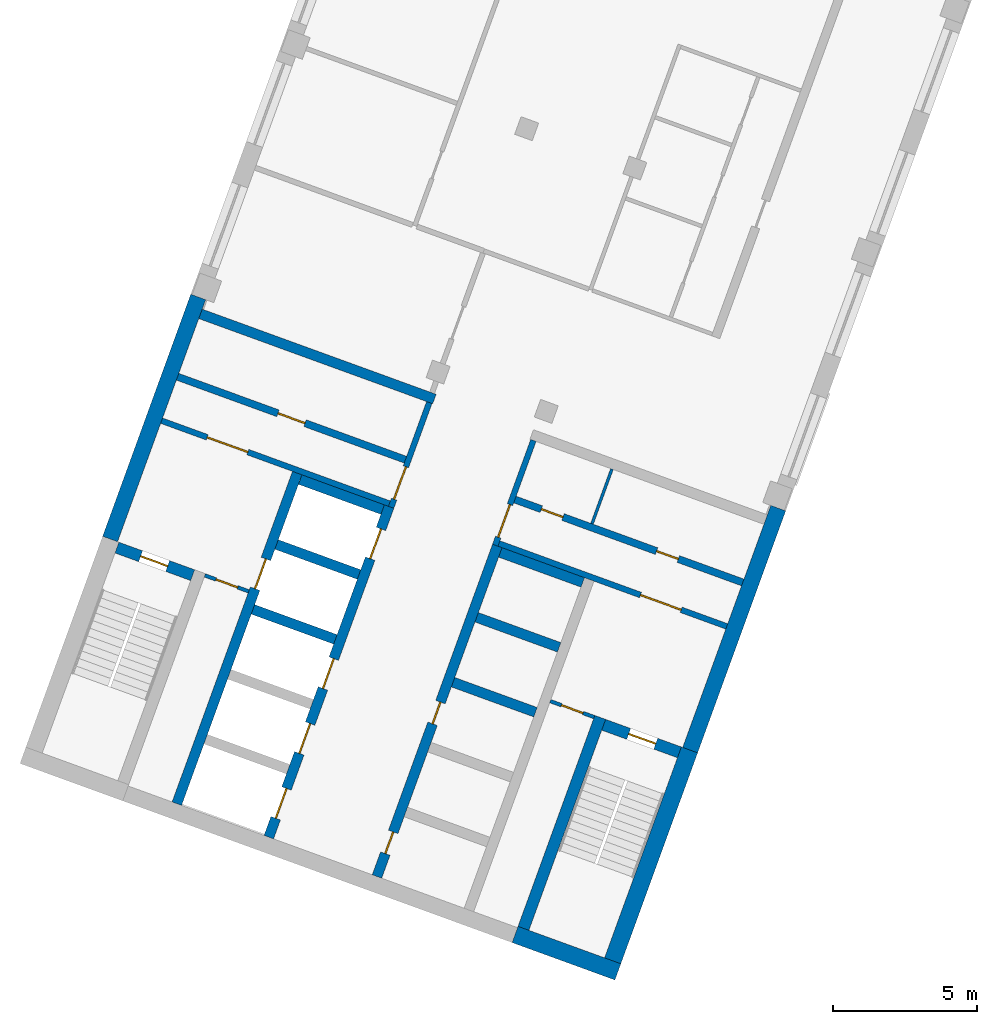
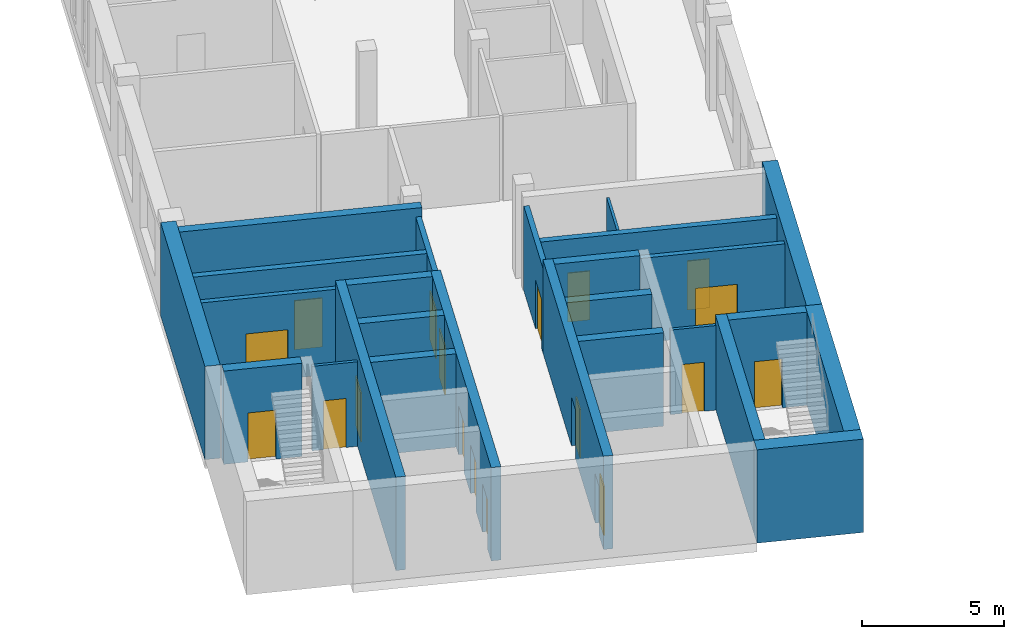
# One storey, part 2 of 8: 26 walls, 18 doors, 18 openings.
"""IFC4 building model written with IfcOpenShell, lengths in metres."""

from ifc_helpers import new_model, si_unit, direction, frame, frame_2d, origin, place, context, subcontext, project, spatial, rectangle, extrude, material, layer, layer_set, type_object, element, fill, save


model = new_model("IFC4")

# Units and contexts
model_context = context("Model", 3, precision=1e-05, world=origin(), true_north=direction((0.0, 1.0)))
body_context = subcontext(model_context, "Body", "Model", "MODEL_VIEW")
ifc_project = project(units=[si_unit("LENGTHUNIT", "METRE"), si_unit("AREAUNIT", "SQUARE_METRE"), si_unit("VOLUMEUNIT", "CUBIC_METRE"), si_unit("PLANEANGLEUNIT", "RADIAN"), si_unit("MASSUNIT", "GRAM", prefix="KILO")], contexts=[model_context])

# Site, building, storey
site_placement = place(None, origin())
site = spatial("IfcSite", under=ifc_project, at=site_placement, CompositionType="ELEMENT")
building_placement = place(site_placement, origin())
building = spatial("IfcBuilding", under=site, at=building_placement, Name="Skarvind Civic Tower", CompositionType="ELEMENT")
storey_placement = place(building_placement, frame((0.0, 0.0, 162.5)))
storey = spatial("IfcBuildingStorey", under=building, at=storey_placement, Name="L38", CompositionType="ELEMENT", Elevation=162.5)

# Wall, opening, door
ifc_material_1 = material(Name="Fire-rated masonry partition", Category="masonry")
ifc_layer_1 = layer(ifc_material_1, 0.199951171875)
ifc_layer_set_1 = layer_set([ifc_layer_1], Name="Core enclosure wall 200")
wall_type_1 = type_object("IfcWallType", Name="Core enclosure wall 200", PredefinedType="PARTITIONING", material=ifc_layer_set_1)
wall_1_placement = place(storey_placement, frame((31.45947265625, 93.67822265625, 0.0), z_axis=(0.0, 0.0, 1.0), x_axis=(0.341985870128, 0.939705094502, 0.0)))
wall_1 = element("IfcWall", 1, at=wall_1_placement, inside=storey, type_object=wall_type_1, Name="Core wall C2", PredefinedType="PARTITIONING", context=body_context, shape_type="SweptSolid", body=[
    extrude(rectangle(XDim=3.875, YDim=0.199951171875, at=frame_2d((1.9375, 0.0))), origin(), (0.0, 0.0, 1.0), 3.625),
])
opening_1_placement = place(wall_1_placement, frame((0.300048828125, 0.0, 0.0)))
opening_1 = element("IfcOpeningElement", 2, at=opening_1_placement, cuts=wall_1, Name="Opening D-L38-C2-07", PredefinedType="OPENING", context=body_context, shape_type="SweptSolid", body=[
    extrude(rectangle(XDim=1.199951171875, YDim=2.10009765625, at=frame_2d((0.60009765625, 1.050048828125))), frame((0.0, 0.10986328125, 0.0), z_axis=(0.0, -1.0, 0.0), x_axis=(1.0, 0.0, 0.0)), (0.0, 0.0, 1.0), 0.219970703125),
])
ifc_material_2 = material(Name="Fire-rated steel door", Category="steel")
door_type_1 = type_object("IfcDoorType", Name="Core lobby door 1200", OperationType="NOTDEFINED", PredefinedType="DOOR", material=ifc_material_2)
door_1_placement = place(opening_1_placement, origin())
door_1 = element("IfcDoor", 3, at=door_1_placement, inside=storey, type_object=door_type_1, Name="Fire door", OperationType="DOUBLE_DOOR_SINGLE_SWING", OverallHeight=2.10009765625, OverallWidth=1.199951171875, PredefinedType="DOOR", context=body_context, shape_type="SweptSolid", body=[
    extrude(rectangle(XDim=1.199951171875, YDim=2.10009765625, at=frame_2d((0.60009765625, 1.050048828125))), frame((0.0, 0.02490234375, 0.0), z_axis=(0.0, -1.0, 0.0), x_axis=(1.0, 0.0, 0.0)), (0.0, 0.0, 1.0), 0.050048828125),
])
fill(opening_1, door_1)

wall_2_placement = place(storey_placement, frame((23.482666015625, 96.68798828125, 0.0), z_axis=(0.0, 0.0, 1.0), x_axis=(0.939691007314, -0.342024576271, 0.0)))
wall_2 = element("IfcWall", 4, at=wall_2_placement, inside=storey, type_object=wall_type_1, Name="Core wall C2", PredefinedType="PARTITIONING", context=body_context, shape_type="SweptSolid", body=[
    extrude(rectangle(XDim=8.425048828125, YDim=0.199951171875, at=frame_2d((4.21240234375, 0.0))), origin(), (0.0, 0.0, 1.0), 3.625),
])
opening_2_placement = place(wall_2_placement, frame((1.6875, 0.0, 0.0)))
opening_2 = element("IfcOpeningElement", 5, at=opening_2_placement, cuts=wall_2, Name="Opening D-L38-C2-08", PredefinedType="OPENING", context=body_context, shape_type="SweptSolid", body=[
    extrude(rectangle(XDim=1.5, YDim=2.10009765625, at=frame_2d((0.75, 1.050048828125))), frame((0.0, 0.10986328125, 0.0), z_axis=(0.0, -1.0, 0.0), x_axis=(1.0, 0.0, 0.0)), (0.0, 0.0, 1.0), 0.219970703125),
])
door_type_2 = type_object("IfcDoorType", Name="Fire door 1500", OperationType="NOTDEFINED", PredefinedType="DOOR", material=ifc_material_2)
door_2_placement = place(opening_2_placement, origin())
door_2 = element("IfcDoor", 6, at=door_2_placement, inside=storey, type_object=door_type_2, Name="Fire door", OperationType="DOUBLE_DOOR_SINGLE_SWING", OverallHeight=2.10009765625, OverallWidth=1.5, PredefinedType="DOOR", context=body_context, shape_type="SweptSolid", body=[
    extrude(rectangle(XDim=1.5, YDim=2.10009765625, at=frame_2d((0.75, 1.050048828125))), frame((0.0, 0.02490234375, 0.0), z_axis=(0.0, -1.0, 0.0), x_axis=(1.0, 0.0, 0.0)), (0.0, 0.0, 1.0), 0.050048828125),
])
fill(opening_2, door_2)

wall_3_placement = place(storey_placement, frame((36.402587890625, 96.0029296875, 0.0), z_axis=(0.0, 0.0, 1.0), x_axis=(-0.342041503764, -0.939684845947, 0.0)))
wall_3 = element("IfcWall", 7, at=wall_3_placement, inside=storey, type_object=wall_type_1, Name="Core wall C2", PredefinedType="PARTITIONING", context=body_context, shape_type="SweptSolid", body=[
    extrude(rectangle(XDim=3.875, YDim=0.199951171875, at=frame_2d((1.9375, 0.0))), origin(), (0.0, 0.0, 1.0), 3.625),
])
opening_3_placement = place(wall_3_placement, frame((2.375, 0.0, 0.0)))
opening_3 = element("IfcOpeningElement", 8, at=opening_3_placement, cuts=wall_3, Name="Opening D-L38-C2-12", PredefinedType="OPENING", context=body_context, shape_type="SweptSolid", body=[
    extrude(rectangle(XDim=1.199951171875, YDim=2.10009765625, at=frame_2d((0.60009765625, 1.050048828125))), frame((0.0, 0.10986328125, 0.0), z_axis=(0.0, -1.0, 0.0), x_axis=(1.0, 0.0, 0.0)), (0.0, 0.0, 1.0), 0.219970703125),
])
door_3_placement = place(opening_3_placement, origin())
door_3 = element("IfcDoor", 9, at=door_3_placement, inside=storey, type_object=door_type_1, Name="Fire door", OperationType="DOUBLE_DOOR_SINGLE_SWING", OverallHeight=2.10009765625, OverallWidth=1.199951171875, PredefinedType="DOOR", context=body_context, shape_type="SweptSolid", body=[
    extrude(rectangle(XDim=1.199951171875, YDim=2.10009765625, at=frame_2d((0.60009765625, 1.050048828125))), frame((0.0, 0.02490234375, 0.0), z_axis=(0.0, -1.0, 0.0), x_axis=(1.0, 0.0, 0.0)), (0.0, 0.0, 1.0), 0.050048828125),
])
fill(opening_3, door_3)

wall_4_placement = place(storey_placement, frame((35.205322265625, 92.42138671875, 0.0), z_axis=(0.0, 0.0, 1.0), x_axis=(0.939691007314, -0.342024576271, 0.0)))
wall_4 = element("IfcWall", 10, at=wall_4_placement, inside=storey, type_object=wall_type_1, Name="Core wall C2", PredefinedType="PARTITIONING", context=body_context, shape_type="SweptSolid", body=[
    extrude(rectangle(XDim=8.425048828125, YDim=0.199951171875, at=frame_2d((4.21240234375, 0.0))), origin(), (0.0, 0.0, 1.0), 3.625),
])
opening_4_placement = place(wall_4_placement, frame((5.237548828125, 0.0, 0.0)))
opening_4 = element("IfcOpeningElement", 11, at=opening_4_placement, cuts=wall_4, Name="Opening D-L38-C2-13", PredefinedType="OPENING", context=body_context, shape_type="SweptSolid", body=[
    extrude(rectangle(XDim=1.5, YDim=2.10009765625, at=frame_2d((0.75, 1.050048828125))), frame((0.0, 0.10986328125, 0.0), z_axis=(0.0, -1.0, 0.0), x_axis=(1.0, 0.0, 0.0)), (0.0, 0.0, 1.0), 0.219970703125),
])
door_4_placement = place(opening_4_placement, origin())
door_4 = element("IfcDoor", 12, at=door_4_placement, inside=storey, type_object=door_type_2, Name="Fire door", OperationType="DOUBLE_DOOR_SINGLE_SWING", OverallHeight=2.10009765625, OverallWidth=1.5, PredefinedType="DOOR", context=body_context, shape_type="SweptSolid", body=[
    extrude(rectangle(XDim=1.5, YDim=2.10009765625, at=frame_2d((0.75, 1.050048828125))), frame((0.0, 0.02490234375, 0.0), z_axis=(0.0, -1.0, 0.0), x_axis=(1.0, 0.0, 0.0)), (0.0, 0.0, 1.0), 0.050048828125),
])
fill(opening_4, door_4)

# Wall
ifc_material_3 = material(Name="Fire-rated plasterboard partition")
ifc_layer_2 = layer(ifc_material_3, 0.10009765625)
ifc_layer_set_2 = layer_set([ifc_layer_2], Name="Core partition wall 100")
wall_type_2 = type_object("IfcWallType", Name="Core partition wall 100", PredefinedType="PARTITIONING", material=ifc_layer_set_2)
wall_5_placement = place(storey_placement, frame((39.13232421875, 95.00927734375, 0.0), z_axis=(0.0, 0.0, 1.0), x_axis=(-0.342043138314, -0.939684250976, 0.0)))
element("IfcWall", 13, at=wall_5_placement, inside=storey, type_object=wall_type_2, Name="Core wall C2", PredefinedType="PARTITIONING", context=body_context, shape_type="SweptSolid", body=[
    extrude(rectangle(XDim=2.02490234375, YDim=0.10009765625, at=frame_2d((1.012451171875, 0.0))), origin(), (0.0, 0.0, 1.0), 3.625),
])

# Wall, openings, doors
ifc_material_4 = material(Name="Concrete C60", Category="concrete")
ifc_layer_3 = layer(ifc_material_4, 0.35009765625)
ifc_layer_set_3 = layer_set([ifc_layer_3], Name="Core wall 350 C60")
wall_type_3 = type_object("IfcWallType", Name="Core wall 350 C60", PredefinedType="SHEAR", material=ifc_layer_set_3)
wall_6_placement = place(storey_placement, frame((30.966552734375, 80.84814453125, 0.0), z_axis=(0.0, 0.0, 1.0), x_axis=(0.34201563943, 0.939694260058, 0.0)))
wall_6 = element("IfcWall", 14, at=wall_6_placement, inside=storey, type_object=wall_type_3, Name="Core wall C2 south lift row front L38", PredefinedType="SHEAR", context=body_context, shape_type="SweptSolid", body=[
    extrude(rectangle(XDim=12.22509765625, YDim=0.35009765625, at=frame_2d((6.112548828125, 0.0))), origin(), (0.0, 0.0, 1.0), 4.0),
])
opening_5_placement = place(wall_6_placement, frame((0.85009765625, 0.0, 0.0)))
opening_5 = element("IfcOpeningElement", 15, at=opening_5_placement, cuts=wall_6, Name="Opening D-L38-C2-05", PredefinedType="OPENING", context=body_context, shape_type="SweptSolid", body=[
    extrude(rectangle(XDim=0.800048828125, YDim=2.10009765625, at=frame_2d((0.39990234375, 1.050048828125))), frame((0.0, 0.18505859375, 0.0), z_axis=(0.0, -1.0, 0.0), x_axis=(1.0, 0.0, 0.0)), (0.0, 0.0, 1.0), 0.3701171875),
])
opening_6_placement = place(wall_6_placement, frame((5.64990234375, 0.0, 0.0)))
opening_6 = element("IfcOpeningElement", 16, at=opening_6_placement, cuts=wall_6, Name="Opening D-L38-C2-06", PredefinedType="OPENING", context=body_context, shape_type="SweptSolid", body=[
    extrude(rectangle(XDim=0.800048828125, YDim=2.10009765625, at=frame_2d((0.39990234375, 1.050048828125))), frame((0.0, 0.18505859375, 0.0), z_axis=(0.0, -1.0, 0.0), x_axis=(1.0, 0.0, 0.0)), (0.0, 0.0, 1.0), 0.3701171875),
])
door_type_3 = type_object("IfcDoorType", Name="Core riser door 800", OperationType="NOTDEFINED", PredefinedType="DOOR", material=ifc_material_2)
door_5_placement = place(opening_5_placement, origin())
door_5 = element("IfcDoor", 17, at=door_5_placement, inside=storey, type_object=door_type_3, Name="Riser door", OperationType="SINGLE_SWING_LEFT", OverallHeight=2.10009765625, OverallWidth=0.800048828125, PredefinedType="DOOR", context=body_context, shape_type="SweptSolid", body=[
    extrude(rectangle(XDim=0.800048828125, YDim=2.10009765625, at=frame_2d((0.39990234375, 1.050048828125))), frame((0.0, 0.02490234375, 0.0), z_axis=(0.0, -1.0, 0.0), x_axis=(1.0, 0.0, 0.0)), (0.0, 0.0, 1.0), 0.050048828125),
])
fill(opening_5, door_5)
door_6_placement = place(opening_6_placement, origin())
door_6 = element("IfcDoor", 18, at=door_6_placement, inside=storey, type_object=door_type_3, Name="Riser door", OperationType="SINGLE_SWING_RIGHT", OverallHeight=2.10009765625, OverallWidth=0.800048828125, PredefinedType="DOOR", context=body_context, shape_type="SweptSolid", body=[
    extrude(rectangle(XDim=0.800048828125, YDim=2.10009765625, at=frame_2d((0.39990234375, 1.050048828125))), frame((0.0, 0.02490234375, 0.0), z_axis=(0.0, -1.0, 0.0), x_axis=(1.0, 0.0, 0.0)), (0.0, 0.0, 1.0), 0.050048828125),
])
fill(opening_6, door_6)

# Walls
for number, where, z_axis, x_axis, name in (
    (19, (36.4765625, 86.557861328125, 0.0), (0.0, 0.0, 1.0), (-0.939683528043, 0.3420451244, 0.0), "Core wall C2 south lift row division 3 L38"),
    (20, (37.297607421875, 88.813232421875, 0.0), (0.0, 0.0, 1.0), (-0.939692892192, 0.342019397644, 0.0), "Core wall C2 south lift row division 4 L38"),
    (21, (38.118408203125, 91.068359375, 0.0), (0.0, 0.0, 1.0), (-0.939692892192, 0.342019397644, 0.0), "Core wall C2 south lift row division 5 L38"),
):
    element("IfcWall", number, at=place(storey_placement, frame(where, z_axis=z_axis, x_axis=x_axis)), inside=storey, type_object=wall_type_3, Name=name, PredefinedType="SHEAR", context=body_context, shape_type="SweptSolid", body=[
        extrude(rectangle(XDim=3.050048828125, YDim=0.35009765625, at=frame_2d((1.52490234375, 0.0))), origin(), (0.0, 0.0, 1.0), 4.0),
    ])

# Wall, openings, doors
wall_7_placement = place(storey_placement, frame((27.207763671875, 82.21630859375, 0.0), z_axis=(0.0, 0.0, 1.0), x_axis=(0.34201563943, 0.939694260058, 0.0)))
wall_7 = element("IfcWall", 22, at=wall_7_placement, inside=storey, type_object=wall_type_3, Name="Core wall C2 north lift row front L38", PredefinedType="SHEAR", context=body_context, shape_type="SweptSolid", body=[
    extrude(rectangle(XDim=12.22509765625, YDim=0.35009765625, at=frame_2d((6.112548828125, 0.0))), origin(), (0.0, 0.0, 1.0), 4.0),
])
opening_7_placement = place(wall_7_placement, frame((0.699951171875, 0.0, 0.0)))
opening_7 = element("IfcOpeningElement", 23, at=opening_7_placement, cuts=wall_7, Name="Opening LD40201", PredefinedType="OPENING", context=body_context, shape_type="SweptSolid", body=[
    extrude(rectangle(XDim=1.10009765625, YDim=2.10009765625, at=frame_2d((0.550048828125, 1.050048828125))), frame((0.0, 0.18505859375, 0.0), z_axis=(0.0, -1.0, 0.0), x_axis=(1.0, 0.0, 0.0)), (0.0, 0.0, 1.0), 0.3701171875),
])
opening_8_placement = place(wall_7_placement, frame((3.10009765625, 0.0, 0.0)))
opening_8 = element("IfcOpeningElement", 24, at=opening_8_placement, cuts=wall_7, Name="Opening LD40202", PredefinedType="OPENING", context=body_context, shape_type="SweptSolid", body=[
    extrude(rectangle(XDim=1.10009765625, YDim=2.10009765625, at=frame_2d((0.550048828125, 1.050048828125))), frame((0.0, 0.18505859375, 0.0), z_axis=(0.0, -1.0, 0.0), x_axis=(1.0, 0.0, 0.0)), (0.0, 0.0, 1.0), 0.3701171875),
])
opening_9_placement = place(wall_7_placement, frame((5.5, 0.0, 0.0)))
opening_9 = element("IfcOpeningElement", 25, at=opening_9_placement, cuts=wall_7, Name="Opening LD40203", PredefinedType="OPENING", context=body_context, shape_type="SweptSolid", body=[
    extrude(rectangle(XDim=1.10009765625, YDim=2.10009765625, at=frame_2d((0.550048828125, 1.050048828125))), frame((0.0, 0.18505859375, 0.0), z_axis=(0.0, -1.0, 0.0), x_axis=(1.0, 0.0, 0.0)), (0.0, 0.0, 1.0), 0.3701171875),
])
opening_10_placement = place(wall_7_placement, frame((10.300048828125, 0.0, 0.0)))
opening_10 = element("IfcOpeningElement", 26, at=opening_10_placement, cuts=wall_7, Name="Opening LD40205", PredefinedType="OPENING", context=body_context, shape_type="SweptSolid", body=[
    extrude(rectangle(XDim=1.10009765625, YDim=2.10009765625, at=frame_2d((0.550048828125, 1.050048828125))), frame((0.0, 0.18505859375, 0.0), z_axis=(0.0, -1.0, 0.0), x_axis=(1.0, 0.0, 0.0)), (0.0, 0.0, 1.0), 0.3701171875),
])
ifc_material_5 = material(Name="Stainless steel landing door", Category="steel")
door_type_4 = type_object("IfcDoorType", Name="Lift landing door 1100", OperationType="DOUBLE_DOOR_SLIDING", PredefinedType="DOOR", material=ifc_material_5)
door_7_placement = place(opening_7_placement, origin())
door_7 = element("IfcDoor", 27, at=door_7_placement, inside=storey, type_object=door_type_4, Name="Lift landing door", OperationType="DOUBLE_DOOR_SLIDING", OverallHeight=2.10009765625, OverallWidth=1.10009765625, PredefinedType="DOOR", context=body_context, shape_type="SweptSolid", body=[
    extrude(rectangle(XDim=1.10009765625, YDim=2.10009765625, at=frame_2d((0.550048828125, 1.050048828125))), frame((0.0, 0.02490234375, 0.0), z_axis=(0.0, -1.0, 0.0), x_axis=(1.0, 0.0, 0.0)), (0.0, 0.0, 1.0), 0.050048828125),
])
fill(opening_7, door_7)
door_8_placement = place(opening_8_placement, origin())
door_8 = element("IfcDoor", 28, at=door_8_placement, inside=storey, type_object=door_type_4, Name="Lift landing door", OperationType="DOUBLE_DOOR_SLIDING", OverallHeight=2.10009765625, OverallWidth=1.10009765625, PredefinedType="DOOR", context=body_context, shape_type="SweptSolid", body=[
    extrude(rectangle(XDim=1.10009765625, YDim=2.10009765625, at=frame_2d((0.550048828125, 1.050048828125))), frame((0.0, 0.02490234375, 0.0), z_axis=(0.0, -1.0, 0.0), x_axis=(1.0, 0.0, 0.0)), (0.0, 0.0, 1.0), 0.050048828125),
])
fill(opening_8, door_8)
door_9_placement = place(opening_9_placement, origin())
door_9 = element("IfcDoor", 29, at=door_9_placement, inside=storey, type_object=door_type_4, Name="Lift landing door", OperationType="DOUBLE_DOOR_SLIDING", OverallHeight=2.10009765625, OverallWidth=1.10009765625, PredefinedType="DOOR", context=body_context, shape_type="SweptSolid", body=[
    extrude(rectangle(XDim=1.10009765625, YDim=2.10009765625, at=frame_2d((0.550048828125, 1.050048828125))), frame((0.0, 0.02490234375, 0.0), z_axis=(0.0, -1.0, 0.0), x_axis=(1.0, 0.0, 0.0)), (0.0, 0.0, 1.0), 0.050048828125),
])
fill(opening_9, door_9)
door_10_placement = place(opening_10_placement, origin())
door_10 = element("IfcDoor", 30, at=door_10_placement, inside=storey, type_object=door_type_4, Name="Lift landing door", OperationType="DOUBLE_DOOR_SLIDING", OverallHeight=2.10009765625, OverallWidth=1.10009765625, PredefinedType="DOOR", context=body_context, shape_type="SweptSolid", body=[
    extrude(rectangle(XDim=1.10009765625, YDim=2.10009765625, at=frame_2d((0.550048828125, 1.050048828125))), frame((0.0, 0.02490234375, 0.0), z_axis=(0.0, -1.0, 0.0), x_axis=(1.0, 0.0, 0.0)), (0.0, 0.0, 1.0), 0.050048828125),
])
fill(opening_10, door_10)

# Wall, opening, door
wall_8_placement = place(storey_placement, frame((24.0126953125, 83.379150390625, 0.0), z_axis=(0.0, 0.0, 1.0), x_axis=(0.34201563943, 0.939694260058, 0.0)))
wall_8 = element("IfcWall", 31, at=wall_8_placement, inside=storey, type_object=wall_type_3, Name="Core wall C2 north lift row back L38", PredefinedType="SHEAR", context=body_context, shape_type="SweptSolid", body=[
    extrude(rectangle(XDim=12.22509765625, YDim=0.35009765625, at=frame_2d((6.112548828125, 0.0))), origin(), (0.0, 0.0, 1.0), 4.0),
])
opening_11_placement = place(wall_8_placement, frame((7.949951171875, 0.0, 0.0)))
opening_11 = element("IfcOpeningElement", 32, at=opening_11_placement, cuts=wall_8, Name="Opening LD40204", PredefinedType="OPENING", context=body_context, shape_type="SweptSolid", body=[
    extrude(rectangle(XDim=1.10009765625, YDim=2.10009765625, at=frame_2d((0.550048828125, 1.050048828125))), frame((0.0, 0.18505859375, 0.0), z_axis=(0.0, -1.0, 0.0), x_axis=(1.0, 0.0, 0.0)), (0.0, 0.0, 1.0), 0.3701171875),
])
door_11_placement = place(opening_11_placement, origin())
door_11 = element("IfcDoor", 33, at=door_11_placement, inside=storey, type_object=door_type_4, Name="Lift landing door", OperationType="DOUBLE_DOOR_SLIDING", OverallHeight=2.10009765625, OverallWidth=1.10009765625, PredefinedType="DOOR", context=body_context, shape_type="SweptSolid", body=[
    extrude(rectangle(XDim=1.10009765625, YDim=2.10009765625, at=frame_2d((0.550048828125, 1.050048828125))), frame((0.0, 0.02490234375, 0.0), z_axis=(0.0, -1.0, 0.0), x_axis=(1.0, 0.0, 0.0)), (0.0, 0.0, 1.0), 0.050048828125),
])
fill(opening_11, door_11)

# Walls
wall_9_placement = place(storey_placement, frame((29.52294921875, 89.0888671875, 0.0), z_axis=(0.0, 0.0, 1.0), x_axis=(-0.939692892192, 0.342019397644, 0.0)))
element("IfcWall", 34, at=wall_9_placement, inside=storey, type_object=wall_type_3, Name="Core wall C2 north lift row division 3 L38", PredefinedType="SHEAR", context=body_context, shape_type="SweptSolid", body=[
    extrude(rectangle(XDim=3.050048828125, YDim=0.35009765625, at=frame_2d((1.52490234375, 0.0))), origin(), (0.0, 0.0, 1.0), 4.0),
])
wall_10_placement = place(storey_placement, frame((30.34375, 91.34423828125, 0.0), z_axis=(0.0, 0.0, 1.0), x_axis=(-0.939709254651, 0.341974438698, 0.0)))
element("IfcWall", 35, at=wall_10_placement, inside=storey, type_object=wall_type_3, Name="Core wall C2 north lift row division 4 L38", PredefinedType="SHEAR", context=body_context, shape_type="SweptSolid", body=[
    extrude(rectangle(XDim=3.0498046875, YDim=0.35009765625, at=frame_2d((1.52490234375, 0.0))), origin(), (0.0, 0.0, 1.0), 4.0),
])
wall_11_placement = place(storey_placement, frame((31.16455078125, 93.599365234375, 0.0), z_axis=(0.0, 0.0, 1.0), x_axis=(-0.939683528043, 0.3420451244, 0.0)))
element("IfcWall", 36, at=wall_11_placement, inside=storey, type_object=wall_type_3, Name="Core wall C2 north lift row division 5 L38", PredefinedType="SHEAR", context=body_context, shape_type="SweptSolid", body=[
    extrude(rectangle(XDim=3.050048828125, YDim=0.35009765625, at=frame_2d((1.52490234375, 0.0))), origin(), (0.0, 0.0, 1.0), 4.0),
])
wall_12_placement = place(storey_placement, frame((32.9619140625, 97.44140625, 0.0), z_axis=(0.0, 0.0, 1.0), x_axis=(-0.939689545667, 0.342028592028, 0.0)))
element("IfcWall", 37, at=wall_12_placement, inside=storey, type_object=wall_type_3, Name="Core wall C2 north inner face L38", PredefinedType="SHEAR", context=body_context, shape_type="SweptSolid", body=[
    extrude(rectangle(XDim=8.64990234375, YDim=0.35009765625, at=frame_2d((4.324951171875, 0.0))), origin(), (0.0, 0.0, 1.0), 4.0),
])
ifc_layer_4 = layer(ifc_material_4, 0.39990234375)
ifc_layer_set_4 = layer_set([ifc_layer_4], Name="Core wall 400 C60")
wall_type_4 = type_object("IfcWallType", Name="Core wall 400 C60", PredefinedType="SHEAR", material=ifc_layer_set_4)
wall_13_placement = place(storey_placement, frame((36.057861328125, 79.04833984375, 0.0), z_axis=(0.0, 0.0, 1.0), x_axis=(0.342016982193, 0.939693771338, 0.0)))
element("IfcWall", 38, at=wall_13_placement, inside=storey, type_object=wall_type_4, Name="Core wall C2 south stair inner L38", PredefinedType="SHEAR", context=body_context, shape_type="SweptSolid", body=[
    extrude(rectangle(XDim=7.800048828125, YDim=0.39990234375, at=frame_2d((3.89990234375, 0.0))), origin(), (0.0, 0.0, 1.0), 4.0),
])

# Wall, opening, door
wall_14_placement = place(storey_placement, frame((41.476318359375, 85.163818359375, 0.0), z_axis=(0.0, 0.0, 1.0), x_axis=(-0.939678810556, 0.342058084236, 0.0)))
wall_14 = element("IfcWall", 39, at=wall_14_placement, inside=storey, type_object=wall_type_4, Name="Core wall C2 south stair end L38", PredefinedType="SHEAR", context=body_context, shape_type="SweptSolid", body=[
    extrude(rectangle(XDim=2.800048828125, YDim=0.39990234375, at=frame_2d((1.39990234375, 0.0))), origin(), (0.0, 0.0, 1.0), 4.0),
])
opening_12_placement = place(wall_14_placement, frame((0.875, 0.0, 0.0)))
opening_12 = element("IfcOpeningElement", 40, at=opening_12_placement, cuts=wall_14, Name="Opening D-L38-C2-14", PredefinedType="OPENING", context=body_context, shape_type="SweptSolid", body=[
    extrude(rectangle(XDim=1.0, YDim=2.10009765625, at=frame_2d((0.5, 1.050048828125))), frame((0.0, 0.2099609375, 0.0), z_axis=(0.0, -1.0, 0.0), x_axis=(1.0, 0.0, 0.0)), (0.0, 0.0, 1.0), 0.419921875),
])
door_type_5 = type_object("IfcDoorType", Name="Fire door 1000", OperationType="NOTDEFINED", PredefinedType="DOOR", material=ifc_material_2)
door_12_placement = place(opening_12_placement, origin())
door_12 = element("IfcDoor", 41, at=door_12_placement, inside=storey, type_object=door_type_5, Name="Fire door", OperationType="SINGLE_SWING_RIGHT", OverallHeight=2.10009765625, OverallWidth=1.0, PredefinedType="DOOR", context=body_context, shape_type="SweptSolid", body=[
    extrude(rectangle(XDim=1.0, YDim=2.10009765625, at=frame_2d((0.5, 1.050048828125))), frame((0.0, 0.02490234375, 0.0), z_axis=(0.0, -1.0, 0.0), x_axis=(1.0, 0.0, 0.0)), (0.0, 0.0, 1.0), 0.050048828125),
])
fill(opening_12, door_12)

wall_15_placement = place(storey_placement, frame((24.56201171875, 91.3203125, 0.0), z_axis=(0.0, 0.0, 1.0), x_axis=(-0.939717030584, 0.341953070509, 0.0)))
wall_15 = element("IfcWall", 42, at=wall_15_placement, inside=storey, type_object=wall_type_4, Name="Core wall C2 north stair end L38", PredefinedType="SHEAR", context=body_context, shape_type="SweptSolid", body=[
    extrude(rectangle(XDim=2.800048828125, YDim=0.39990234375, at=frame_2d((1.39990234375, 0.0))), origin(), (0.0, 0.0, 1.0), 4.0),
])
opening_13_placement = place(wall_15_placement, frame((0.925048828125, 0.0, 0.0)))
opening_13 = element("IfcOpeningElement", 43, at=opening_13_placement, cuts=wall_15, Name="Opening D-L38-C2-09", PredefinedType="OPENING", context=body_context, shape_type="SweptSolid", body=[
    extrude(rectangle(XDim=1.0, YDim=2.10009765625, at=frame_2d((0.5, 1.050048828125))), frame((0.0, 0.2099609375, 0.0), z_axis=(0.0, -1.0, 0.0), x_axis=(1.0, 0.0, 0.0)), (0.0, 0.0, 1.0), 0.419921875),
])
door_13_placement = place(opening_13_placement, origin())
door_13 = element("IfcDoor", 44, at=door_13_placement, inside=storey, type_object=door_type_5, Name="Fire door", OperationType="SINGLE_SWING_LEFT", OverallHeight=2.10009765625, OverallWidth=1.0, PredefinedType="DOOR", context=body_context, shape_type="SweptSolid", body=[
    extrude(rectangle(XDim=1.0, YDim=2.10009765625, at=frame_2d((0.5, 1.050048828125))), frame((0.0, 0.02490234375, 0.0), z_axis=(0.0, -1.0, 0.0), x_axis=(1.0, 0.0, 0.0)), (0.0, 0.0, 1.0), 0.050048828125),
])
fill(opening_13, door_13)

# Walls
ifc_layer_5 = layer(ifc_material_4, 0.550048828125)
ifc_layer_set_5 = layer_set([ifc_layer_5], Name="Core wall 550 C60")
wall_type_5 = type_object("IfcWallType", Name="Core wall 550 C60", PredefinedType="SHEAR", material=ifc_layer_set_5)
wall_16_placement = place(storey_placement, frame((41.85009765625, 85.24072265625, 0.0), z_axis=(0.0, 0.0, 1.0), x_axis=(0.34201902012, 0.939693029598, 0.0)))
element("IfcWall", 45, at=wall_16_placement, inside=storey, type_object=wall_type_5, Name="Core wall C2 south side L38", PredefinedType="SHEAR", context=body_context, shape_type="SweptSolid", body=[
    extrude(rectangle(XDim=8.949951171875, YDim=0.550048828125, at=frame_2d((4.47509765625, 0.0))), origin(), (0.0, 0.0, 1.0), 4.0),
])
wall_17_placement = place(storey_placement, frame((21.69384765625, 92.576904296875, 0.0), z_axis=(0.0, 0.0, 1.0), x_axis=(0.342010253184, 0.939696220444, 0.0)))
element("IfcWall", 46, at=wall_17_placement, inside=storey, type_object=wall_type_5, Name="Core wall C2 north side L38", PredefinedType="SHEAR", context=body_context, shape_type="SweptSolid", body=[
    extrude(rectangle(XDim=8.9501953125, YDim=0.550048828125, at=frame_2d((4.47509765625, 0.0))), origin(), (0.0, 0.0, 1.0), 4.0),
])
ifc_layer_6 = layer(ifc_material_4, 0.60009765625)
ifc_layer_set_6 = layer_set([ifc_layer_6], Name="Core wall 600 C60")
wall_type_6 = type_object("IfcWallType", Name="Core wall 600 C60", PredefinedType="SHEAR", material=ifc_layer_set_6)
wall_18_placement = place(storey_placement, frame((39.338134765625, 77.53515625, 0.0), z_axis=(0.0, 0.0, 1.0), x_axis=(-0.939701471648, 0.341995824804, 0.0)))
element("IfcWall", 47, at=wall_18_placement, inside=storey, type_object=wall_type_6, Name="Core wall C2 tip at the south stair L38", PredefinedType="SHEAR", context=body_context, shape_type="SweptSolid", body=[
    extrude(rectangle(XDim=3.800048828125, YDim=0.60009765625, at=frame_2d((1.89990234375, 0.0))), origin(), (0.0, 0.0, 1.0), 4.0),
])
wall_19_placement = place(storey_placement, frame((39.158935546875, 77.919677734375, 0.0), z_axis=(0.0, 0.0, 1.0), x_axis=(0.342016982193, 0.939693771338, 0.0)))
element("IfcWall", 48, at=wall_19_placement, inside=storey, type_object=wall_type_6, Name="Core wall C2 south side at the stair L38", PredefinedType="SHEAR", context=body_context, shape_type="SweptSolid", body=[
    extrude(rectangle(XDim=7.800048828125, YDim=0.60009765625, at=frame_2d((3.89990234375, 0.0))), origin(), (0.0, 0.0, 1.0), 4.0),
])

# Wall, opening, door
ifc_layer_7 = layer(ifc_material_1, 0.125)
ifc_layer_set_7 = layer_set([ifc_layer_7], Name="Riser wall 125")
wall_type_7 = type_object("IfcWallType", Name="Riser wall 125", PredefinedType="PARTITIONING", material=ifc_layer_set_7)
wall_20_placement = place(storey_placement, frame((24.98486328125, 91.3125, 0.0), z_axis=(0.0, 0.0, 1.0), x_axis=(0.939705651352, -0.341984340019, 0.0)))
wall_20 = element("IfcWall", 49, at=wall_20_placement, inside=storey, type_object=wall_type_7, Name="Core wall C2", PredefinedType="PARTITIONING", context=body_context, shape_type="SweptSolid", body=[
    extrude(rectangle(XDim=1.624755859375, YDim=0.125, at=frame_2d((0.8125, 0.0))), origin(), (0.0, 0.0, 1.0), 3.625),
])
opening_14_placement = place(wall_20_placement, frame((0.41259765625, 0.0, 0.0)))
opening_14 = element("IfcOpeningElement", 50, at=opening_14_placement, cuts=wall_20, Name="Opening D-L38-C2-10", PredefinedType="OPENING", context=body_context, shape_type="SweptSolid", body=[
    extrude(rectangle(XDim=0.800048828125, YDim=2.10009765625, at=frame_2d((0.39990234375, 1.050048828125))), frame((0.0, 0.072509765625, 0.0), z_axis=(0.0, -1.0, 0.0), x_axis=(1.0, 0.0, 0.0)), (0.0, 0.0, 1.0), 0.14501953125),
])
door_14_placement = place(opening_14_placement, origin())
door_14 = element("IfcDoor", 51, at=door_14_placement, inside=storey, type_object=door_type_3, Name="Riser door", OperationType="SINGLE_SWING_RIGHT", OverallHeight=2.10009765625, OverallWidth=0.800048828125, PredefinedType="DOOR", context=body_context, shape_type="SweptSolid", body=[
    extrude(rectangle(XDim=0.800048828125, YDim=2.10009765625, at=frame_2d((0.39990234375, 1.050048828125))), frame((0.0, 0.02490234375, 0.0), z_axis=(0.0, -1.0, 0.0), x_axis=(1.0, 0.0, 0.0)), (0.0, 0.0, 1.0), 0.050048828125),
])
fill(opening_14, door_14)

wall_21_placement = place(storey_placement, frame((36.989501953125, 86.943359375, 0.0), z_axis=(0.0, 0.0, 1.0), x_axis=(0.939657357267, -0.342117013511, 0.0)))
wall_21 = element("IfcWall", 52, at=wall_21_placement, inside=storey, type_object=wall_type_7, Name="Core wall C2", PredefinedType="PARTITIONING", context=body_context, shape_type="SweptSolid", body=[
    extrude(rectangle(XDim=1.625, YDim=0.125, at=frame_2d((0.8125, 0.0))), origin(), (0.0, 0.0, 1.0), 3.625),
])
opening_15_placement = place(wall_21_placement, frame((0.41259765625, 0.0, 0.0)))
opening_15 = element("IfcOpeningElement", 53, at=opening_15_placement, cuts=wall_21, Name="Opening D-L38-C2-15", PredefinedType="OPENING", context=body_context, shape_type="SweptSolid", body=[
    extrude(rectangle(XDim=0.800048828125, YDim=2.10009765625, at=frame_2d((0.39990234375, 1.050048828125))), frame((0.0, 0.072509765625, 0.0), z_axis=(0.0, -1.0, 0.0), x_axis=(1.0, 0.0, 0.0)), (0.0, 0.0, 1.0), 0.14501953125),
])
door_15_placement = place(opening_15_placement, origin())
door_15 = element("IfcDoor", 54, at=door_15_placement, inside=storey, type_object=door_type_3, Name="Riser door", OperationType="SINGLE_SWING_LEFT", OverallHeight=2.10009765625, OverallWidth=0.800048828125, PredefinedType="DOOR", context=body_context, shape_type="SweptSolid", body=[
    extrude(rectangle(XDim=0.800048828125, YDim=2.10009765625, at=frame_2d((0.39990234375, 1.050048828125))), frame((0.0, 0.02490234375, 0.0), z_axis=(0.0, -1.0, 0.0), x_axis=(1.0, 0.0, 0.0)), (0.0, 0.0, 1.0), 0.050048828125),
])
fill(opening_15, door_15)

ifc_layer_8 = layer(ifc_material_1, 0.25)
ifc_layer_set_8 = layer_set([ifc_layer_8], Name="Service block wall 250")
wall_type_8 = type_object("IfcWallType", Name="Service block wall 250", PredefinedType="PARTITIONING", material=ifc_layer_set_8)
wall_22_placement = place(storey_placement, frame((24.03857421875, 98.215087890625, 0.0), z_axis=(0.0, 0.0, 1.0), x_axis=(0.939687617333, -0.342033889887, 0.0)))
wall_22 = element("IfcWall", 55, at=wall_22_placement, inside=storey, type_object=wall_type_8, Name="Core wall C2", PredefinedType="PARTITIONING", context=body_context, shape_type="SweptSolid", body=[
    extrude(rectangle(XDim=8.4248046875, YDim=0.25, at=frame_2d((4.21240234375, 0.0))), origin(), (0.0, 0.0, 1.0), 3.625),
])
opening_16_placement = place(wall_22_placement, frame((3.71240234375, 0.0, 0.0)))
opening_16 = element("IfcOpeningElement", 56, at=opening_16_placement, cuts=wall_22, Name="Opening D-L38-C2-11", PredefinedType="OPENING", context=body_context, shape_type="SweptSolid", body=[
    extrude(rectangle(XDim=1.0, YDim=2.10009765625, at=frame_2d((0.5, 1.050048828125))), frame((0.0, 0.135009765625, 0.0), z_axis=(0.0, -1.0, 0.0), x_axis=(1.0, 0.0, 0.0)), (0.0, 0.0, 1.0), 0.27001953125),
])
door_16_placement = place(opening_16_placement, origin())
door_16 = element("IfcDoor", 57, at=door_16_placement, inside=storey, type_object=door_type_5, Name="Fire door", OperationType="SINGLE_SWING_LEFT", OverallHeight=2.10009765625, OverallWidth=1.0, PredefinedType="DOOR", context=body_context, shape_type="SweptSolid", body=[
    extrude(rectangle(XDim=1.0, YDim=2.10009765625, at=frame_2d((0.5, 1.050048828125))), frame((0.0, 0.02490234375, 0.0), z_axis=(0.0, -1.0, 0.0), x_axis=(1.0, 0.0, 0.0)), (0.0, 0.0, 1.0), 0.050048828125),
])
fill(opening_16, door_16)

# Wall, openings, doors
wall_23_placement = place(storey_placement, frame((35.76123046875, 93.9482421875, 0.0), z_axis=(0.0, 0.0, 1.0), x_axis=(0.93969693093, -0.342008301071, 0.0)))
wall_23 = element("IfcWall", 58, at=wall_23_placement, inside=storey, type_object=wall_type_8, Name="Core wall C2", PredefinedType="PARTITIONING", context=body_context, shape_type="SweptSolid", body=[
    extrude(rectangle(XDim=8.4248046875, YDim=0.25, at=frame_2d((4.21240234375, 0.0))), origin(), (0.0, 0.0, 1.0), 3.625),
])
opening_17_placement = place(wall_23_placement, frame((0.9775390625, 0.0, 0.0)))
opening_17 = element("IfcOpeningElement", 59, at=opening_17_placement, cuts=wall_23, Name="Opening D-L38-C2-16", PredefinedType="OPENING", context=body_context, shape_type="SweptSolid", body=[
    extrude(rectangle(XDim=0.800048828125, YDim=2.10009765625, at=frame_2d((0.39990234375, 1.050048828125))), frame((0.0, 0.135009765625, 0.0), z_axis=(0.0, -1.0, 0.0), x_axis=(1.0, 0.0, 0.0)), (0.0, 0.0, 1.0), 0.27001953125),
])
opening_18_placement = place(wall_23_placement, frame((5.239990234375, 0.0, 0.0)))
opening_18 = element("IfcOpeningElement", 60, at=opening_18_placement, cuts=wall_23, Name="Opening D-L38-C2-17", PredefinedType="OPENING", context=body_context, shape_type="SweptSolid", body=[
    extrude(rectangle(XDim=0.800048828125, YDim=2.10009765625, at=frame_2d((0.39990234375, 1.050048828125))), frame((0.0, 0.135009765625, 0.0), z_axis=(0.0, -1.0, 0.0), x_axis=(1.0, 0.0, 0.0)), (0.0, 0.0, 1.0), 0.27001953125),
])
door_17_placement = place(opening_17_placement, origin())
door_17 = element("IfcDoor", 61, at=door_17_placement, inside=storey, type_object=door_type_3, Name="Riser door", OperationType="SINGLE_SWING_RIGHT", OverallHeight=2.10009765625, OverallWidth=0.800048828125, PredefinedType="DOOR", context=body_context, shape_type="SweptSolid", body=[
    extrude(rectangle(XDim=0.800048828125, YDim=2.10009765625, at=frame_2d((0.39990234375, 1.050048828125))), frame((0.0, 0.02490234375, 0.0), z_axis=(0.0, -1.0, 0.0), x_axis=(1.0, 0.0, 0.0)), (0.0, 0.0, 1.0), 0.050048828125),
])
fill(opening_17, door_17)
door_18_placement = place(opening_18_placement, origin())
door_18 = element("IfcDoor", 62, at=door_18_placement, inside=storey, type_object=door_type_3, Name="Riser door", OperationType="SINGLE_SWING_LEFT", OverallHeight=2.10009765625, OverallWidth=0.800048828125, PredefinedType="DOOR", context=body_context, shape_type="SweptSolid", body=[
    extrude(rectangle(XDim=0.800048828125, YDim=2.10009765625, at=frame_2d((0.39990234375, 1.050048828125))), frame((0.0, 0.02490234375, 0.0), z_axis=(0.0, -1.0, 0.0), x_axis=(1.0, 0.0, 0.0)), (0.0, 0.0, 1.0), 0.050048828125),
])
fill(opening_18, door_18)

save(model, "model.ifc")
